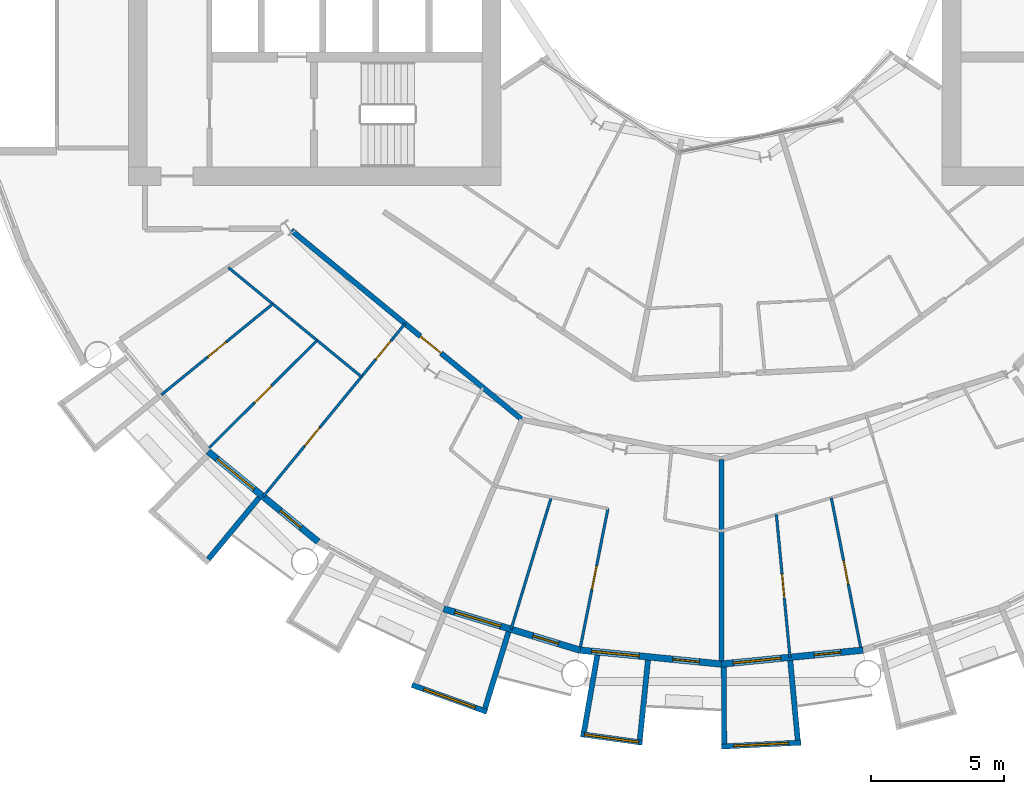
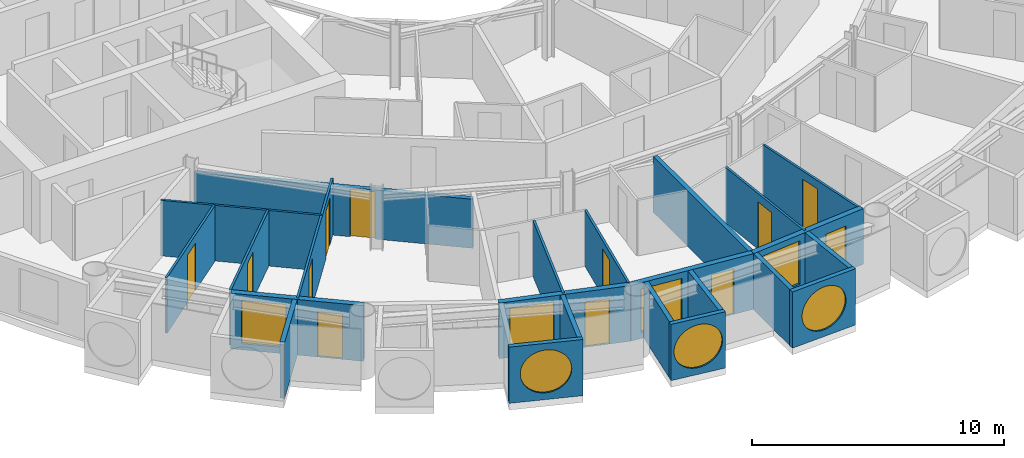
# One storey, part 13 of 26: 23 walls, 12 doors, 7 windows, 19 openings.
"""IFC4 building model written with IfcOpenShell, lengths in metres."""

from ifc_helpers import new_model, si_unit, direction, frame, frame_2d, origin, place, context, subcontext, project, spatial, rectangle, circle, extrude, material, layer, layer_set, type_object, element, fill, save


model = new_model("IFC4")

# Units and contexts
model_context = context("Model", 3, precision=1e-05, world=origin(), true_north=direction((0.0, 1.0)))
body_context = subcontext(model_context, "Body", "Model", "MODEL_VIEW")
ifc_project = project(units=[si_unit("LENGTHUNIT", "METRE"), si_unit("AREAUNIT", "SQUARE_METRE"), si_unit("VOLUMEUNIT", "CUBIC_METRE"), si_unit("PLANEANGLEUNIT", "RADIAN"), si_unit("MASSUNIT", "GRAM", prefix="KILO")], contexts=[model_context])

# Site, building, storey
site_placement = place(None, origin())
site = spatial("IfcSite", under=ifc_project, at=site_placement, CompositionType="ELEMENT")
building_placement = place(site_placement, origin())
building = spatial("IfcBuilding", under=site, at=building_placement, Name="Maasbend Ring Residences", CompositionType="ELEMENT")
storey_placement = place(building_placement, frame((0.0, 0.0, 91.050048828125)))
storey = spatial("IfcBuildingStorey", under=building, at=storey_placement, Name="L26", CompositionType="ELEMENT", Elevation=91.050048828125)

# Wall, opening, door
ifc_material_1 = material(Name="Concrete C30/37", Category="concrete")
ifc_layer_1 = layer(ifc_material_1, 0.199951171875)
ifc_layer_set_1 = layer_set([ifc_layer_1], Name="Concrete C30/37")
wall_type_1 = type_object("IfcWallType", Name="CORRIDOR WALL 200 CONCRETE", PredefinedType="PARTITIONING", material=ifc_layer_set_1)
wall_1_placement = place(storey_placement, frame((-16.173095703125, -10.990966796875, 0.0), z_axis=(0.0, 0.0, 1.0), x_axis=(0.773013989296, -0.634388975591, 0.0)))
wall_1 = element("IfcWall", 1, at=wall_1_placement, inside=storey, type_object=wall_type_1, Name="U-L26-w013", PredefinedType="PARTITIONING", context=body_context, shape_type="SweptSolid", body=[
    extrude(rectangle(XDim=11.218505859375, YDim=0.199951171875, at=frame_2d((5.609375, 0.0))), origin(), (0.0, 0.0, 1.0), 2.3798828125),
])
opening_1_placement = place(wall_1_placement, frame((6.278076171875, 0.0, 0.0)))
opening_1 = element("IfcOpeningElement", 2, at=opening_1_placement, cuts=wall_1, Name="Opening D-2632", PredefinedType="OPENING", context=body_context, shape_type="SweptSolid", body=[
    extrude(rectangle(XDim=1.0, YDim=2.300048828125, at=frame_2d((0.5, 1.14990234375))), frame((0.0, 0.10986328125, 0.0), z_axis=(0.0, -1.0, 0.0), x_axis=(1.0, 0.0, 0.0)), (0.0, 0.0, 1.0), 0.219970703125),
])
ifc_material_2 = material(Name="Timber, fire-rated, painted", Category="wood")
door_type_1 = type_object("IfcDoorType", Name="FLAT ENTRANCE DOOR 1000 X 2300 FIRE-RATED", OperationType="NOTDEFINED", PredefinedType="DOOR", material=ifc_material_2)
door_1_placement = place(opening_1_placement, origin())
door_1 = element("IfcDoor", 3, at=door_1_placement, inside=storey, type_object=door_type_1, Name="D-2632", OperationType="SINGLE_SWING_RIGHT", OverallHeight=2.300048828125, OverallWidth=1.0, PredefinedType="DOOR", context=body_context, shape_type="SweptSolid", body=[
    extrude(rectangle(XDim=1.0, YDim=2.300048828125, at=frame_2d((0.5, 1.14990234375))), frame((0.0, 0.02490234375, 0.0), z_axis=(0.0, -1.0, 0.0), x_axis=(1.0, 0.0, 0.0)), (0.0, 0.0, 1.0), 0.050048828125),
])
fill(opening_1, door_1)

# Wall
ifc_material_3 = material(Name="Pale anodised aluminium panel", Category="aluminium")
ifc_layer_2 = layer(ifc_material_3, 0.199951171875)
ifc_layer_set_2 = layer_set([ifc_layer_2], Name="EW-BOX")
wall_type_2 = type_object("IfcWallType", Name="EW-BOX", PredefinedType="SOLIDWALL", material=ifc_layer_set_2)
wall_2_placement = place(storey_placement, frame((-17.384033203125, -21.041015625, -0.030029296875), z_axis=(0.0, 0.0, 1.0), x_axis=(-0.63709551667, -0.770784861449, 0.0)))
element("IfcWall", 4, at=wall_2_placement, inside=storey, type_object=wall_type_2, Name="Box side wall S03 right", PredefinedType="SOLIDWALL", context=body_context, shape_type="SweptSolid", body=[
    extrude(rectangle(XDim=3.005859375, YDim=0.199951171875, at=frame_2d((1.5029296875, 0.0))), origin(), (0.0, 0.0, 1.0), 2.72998046875),
])

# Wall, opening, window
wall_3_placement = place(storey_placement, frame((-11.637939453125, -28.083984375, -0.030029296875), z_axis=(0.0, 0.0, 1.0), x_axis=(0.941461077774, -0.337121697664, 0.0)))
wall_3 = element("IfcWall", 5, at=wall_3_placement, inside=storey, type_object=wall_type_2, Name="Box front S07", PredefinedType="SOLIDWALL", context=body_context, shape_type="SweptSolid", body=[
    extrude(rectangle(XDim=2.9931640625, YDim=0.199951171875, at=frame_2d((1.49658203125, 0.0))), origin(), (0.0, 0.0, 1.0), 2.72998046875),
])
opening_2_placement = place(wall_3_placement, frame((0.45654296875, 0.0, 0.330078125)))
opening_2 = element("IfcOpeningElement", 6, at=opening_2_placement, cuts=wall_3, Name="Opening W-RD", PredefinedType="OPENING", context=body_context, shape_type="SweptSolid", body=[
    extrude(circle(Radius=1.0400390625, at=frame_2d((1.0400390625, 1.0400390625))), frame((0.0, 0.10986328125, 0.0), z_axis=(0.0, -1.0, 0.0), x_axis=(1.0, 0.0, 0.0)), (0.0, 0.0, 1.0), 0.219970703125),
])
ifc_material_4 = material(Name="Aluminium and clear glass", Category="aluminium")
window_type_1 = type_object("IfcWindowType", Name="W-RD", PartitioningType="SINGLE_PANEL", PredefinedType="WINDOW", material=ifc_material_4)
window_1_placement = place(opening_2_placement, origin())
window_1 = element("IfcWindow", 7, at=window_1_placement, inside=storey, type_object=window_type_1, Name="Round window S07", OverallHeight=2.080078125, OverallWidth=2.080078125, PartitioningType="SINGLE_PANEL", PredefinedType="WINDOW", context=body_context, shape_type="SweptSolid", body=[
    extrude(circle(Radius=1.0400390625, at=frame_2d((1.0400390625, 1.0400390625))), frame((0.0, 0.030029296875, 0.0), z_axis=(0.0, -1.0, 0.0), x_axis=(1.0, 0.0, 0.0)), (0.0, 0.0, 1.0), 0.06005859375),
])
fill(opening_2, window_1)

# Wall
wall_4_placement = place(storey_placement, frame((-8.009033203125, -26.092041015625, -0.030029296875), z_axis=(0.0, 0.0, 1.0), x_axis=(-0.293406695073, -0.955987715029, 0.0)))
element("IfcWall", 8, at=wall_4_placement, inside=storey, type_object=wall_type_2, Name="Box side wall S07 right", PredefinedType="SOLIDWALL", context=body_context, shape_type="SweptSolid", body=[
    extrude(rectangle(XDim=3.00634765625, YDim=0.199951171875, at=frame_2d((1.503173828125, 0.0))), origin(), (0.0, 0.0, 1.0), 2.72998046875),
])

# Wall, opening, window
wall_5_placement = place(storey_placement, frame((-5.2900390625, -29.93603515625, -0.030029296875), z_axis=(0.0, 0.0, 1.0), x_axis=(0.990696111261, -0.136092671119, 0.0)))
wall_5 = element("IfcWall", 9, at=wall_5_placement, inside=storey, type_object=wall_type_2, Name="Box front S09", PredefinedType="SOLIDWALL", context=body_context, shape_type="SweptSolid", body=[
    extrude(rectangle(XDim=2.335693359375, YDim=0.199951171875, at=frame_2d((1.16796875, 0.0))), origin(), (0.0, 0.0, 1.0), 2.72998046875),
])
opening_3_placement = place(wall_5_placement, frame((0.128173828125, 0.0, 0.330078125)))
opening_3 = element("IfcOpeningElement", 10, at=opening_3_placement, cuts=wall_5, Name="Opening W-RD", PredefinedType="OPENING", context=body_context, shape_type="SweptSolid", body=[
    extrude(circle(Radius=1.0400390625, at=frame_2d((1.0400390625, 1.0400390625))), frame((0.0, 0.10986328125, 0.0), z_axis=(0.0, -1.0, 0.0), x_axis=(1.0, 0.0, 0.0)), (0.0, 0.0, 1.0), 0.219970703125),
])
window_2_placement = place(opening_3_placement, origin())
window_2 = element("IfcWindow", 11, at=window_2_placement, inside=storey, type_object=window_type_1, Name="Round window S09", OverallHeight=2.080078125, OverallWidth=2.080078125, PartitioningType="SINGLE_PANEL", PredefinedType="WINDOW", context=body_context, shape_type="SweptSolid", body=[
    extrude(circle(Radius=1.0400390625, at=frame_2d((1.0400390625, 1.0400390625))), frame((0.0, 0.030029296875, 0.0), z_axis=(0.0, -1.0, 0.0), x_axis=(1.0, 0.0, 0.0)), (0.0, 0.0, 1.0), 0.06005859375),
])
fill(opening_3, window_2)

# Walls
wall_6_placement = place(storey_placement, frame((-4.6708984375, -26.966064453125, -0.030029296875), z_axis=(0.0, 0.0, 1.0), x_axis=(-0.170539878907, -0.985350774954, 0.0)))
element("IfcWall", 12, at=wall_6_placement, inside=storey, type_object=wall_type_2, Name="Box side wall S09 left", PredefinedType="SOLIDWALL", context=body_context, shape_type="SweptSolid", body=[
    extrude(rectangle(XDim=2.931884765625, YDim=0.199951171875, at=frame_2d((1.4658203125, 0.0))), origin(), (0.0, 0.0, 1.0), 2.72998046875),
])
wall_7_placement = place(storey_placement, frame((-2.763916015625, -27.153076171875, -0.030029296875), z_axis=(0.0, 0.0, 1.0), x_axis=(-0.101505487237, -0.994834979311, 0.0)))
element("IfcWall", 13, at=wall_7_placement, inside=storey, type_object=wall_type_2, Name="Box side wall S09 right", PredefinedType="SOLIDWALL", context=body_context, shape_type="SweptSolid", body=[
    extrude(rectangle(XDim=3.006591796875, YDim=0.199951171875, at=frame_2d((1.50341796875, 0.0))), origin(), (0.0, 0.0, 1.0), 2.72998046875),
])

# Wall, opening, window
wall_8_placement = place(storey_placement, frame((-0.0048828125, -30.39990234375, -0.030029296875), z_axis=(0.0, 0.0, 1.0), x_axis=(0.998794083011, 0.049095618353, 0.0)))
wall_8 = element("IfcWall", 14, at=wall_8_placement, inside=storey, type_object=wall_type_2, Name="Box front S11", PredefinedType="SOLIDWALL", context=body_context, shape_type="SweptSolid", body=[
    extrude(rectangle(XDim=2.99365234375, YDim=0.199951171875, at=frame_2d((1.496826171875, 0.0))), origin(), (0.0, 0.0, 1.0), 2.72998046875),
])
opening_4_placement = place(wall_8_placement, frame((0.45654296875, 0.0, 0.330078125)))
opening_4 = element("IfcOpeningElement", 15, at=opening_4_placement, cuts=wall_8, Name="Opening W-RD", PredefinedType="OPENING", context=body_context, shape_type="SweptSolid", body=[
    extrude(circle(Radius=1.0400390625, at=frame_2d((1.0400390625, 1.0400390625))), frame((0.0, 0.10986328125, 0.0), z_axis=(0.0, -1.0, 0.0), x_axis=(1.0, 0.0, 0.0)), (0.0, 0.0, 1.0), 0.219970703125),
])
window_3_placement = place(opening_4_placement, origin())
window_3 = element("IfcWindow", 16, at=window_3_placement, inside=storey, type_object=window_type_1, Name="Round window S11", OverallHeight=2.080078125, OverallWidth=2.080078125, PartitioningType="SINGLE_PANEL", PredefinedType="WINDOW", context=body_context, shape_type="SweptSolid", body=[
    extrude(circle(Radius=1.0400390625, at=frame_2d((1.0400390625, 1.0400390625))), frame((0.0, 0.030029296875, 0.0), z_axis=(0.0, -1.0, 0.0), x_axis=(1.0, 0.0, 0.0)), (0.0, 0.0, 1.0), 0.06005859375),
])
fill(opening_4, window_3)

# Walls
wall_9_placement = place(storey_placement, frame((0.090087890625, -27.4169921875, -0.030029296875), z_axis=(0.0, 0.0, 1.0), x_axis=(0.00347308367, -0.999993968827, 0.0)))
element("IfcWall", 17, at=wall_9_placement, inside=storey, type_object=wall_type_2, Name="Box side wall S11 left", PredefinedType="SOLIDWALL", context=body_context, shape_type="SweptSolid", body=[
    extrude(rectangle(XDim=2.882080078125, YDim=0.199951171875, at=frame_2d((1.44091796875, 0.0))), origin(), (0.0, 0.0, 1.0), 2.72998046875),
])
wall_10_placement = place(storey_placement, frame((2.5859375, -27.1708984375, -0.030029296875), z_axis=(0.0, 0.0, 1.0), x_axis=(0.094548432284, -0.995520262954, 0.0)))
element("IfcWall", 18, at=wall_10_placement, inside=storey, type_object=wall_type_2, Name="Box side wall S11 right", PredefinedType="SOLIDWALL", context=body_context, shape_type="SweptSolid", body=[
    extrude(rectangle(XDim=3.005615234375, YDim=0.199951171875, at=frame_2d((1.5029296875, 0.0))), origin(), (0.0, 0.0, 1.0), 2.72998046875),
])

# Wall, openings, door, window
ifc_material_5 = material(Name="Aluminium clad insulated panel", Category="aluminium")
ifc_layer_3 = layer(ifc_material_5, 0.25)
ifc_layer_set_3 = layer_set([ifc_layer_3], Name="EW-GL")
wall_type_3 = type_object("IfcWallType", Name="EW-GL", PredefinedType="SOLIDWALL", material=ifc_layer_set_3)
wall_11_placement = place(storey_placement, frame((-19.303955078125, -19.303955078125, 0.0), z_axis=(0.0, 0.0, 1.0), x_axis=(0.773019449054, -0.634382322723, 0.0)))
wall_11 = element("IfcWall", 19, at=wall_11_placement, inside=storey, type_object=wall_type_3, Name="External wall S02", PredefinedType="SOLIDWALL", context=body_context, shape_type="SweptSolid", body=[
    extrude(rectangle(XDim=5.351806640625, YDim=0.25, at=frame_2d((2.67578125, 0.0))), origin(), (0.0, 0.0, 1.0), 2.699951171875),
])
opening_5_placement = place(wall_11_placement, frame((0.441162109375, 0.0, 0.300048828125)))
opening_5 = element("IfcOpeningElement", 20, at=opening_5_placement, cuts=wall_11, Name="Opening W-BX", PredefinedType="OPENING", context=body_context, shape_type="SweptSolid", body=[
    extrude(rectangle(XDim=1.800048828125, YDim=2.10009765625, at=frame_2d((0.89990234375, 1.050048828125))), frame((0.0, 0.135009765625, 0.0), z_axis=(0.0, -1.0, 0.0), x_axis=(1.0, 0.0, 0.0)), (0.0, 0.0, 1.0), 0.27001953125),
])
opening_6_placement = place(wall_11_placement, frame((3.510498046875, 0.0, 0.0)))
opening_6 = element("IfcOpeningElement", 21, at=opening_6_placement, cuts=wall_11, Name="Opening D-LG", PredefinedType="OPENING", context=body_context, shape_type="SweptSolid", body=[
    extrude(rectangle(XDim=1.0, YDim=2.199951171875, at=frame_2d((0.5, 1.10009765625))), frame((0.0, 0.135009765625, 0.0), z_axis=(0.0, -1.0, 0.0), x_axis=(1.0, 0.0, 0.0)), (0.0, 0.0, 1.0), 0.27001953125),
])
ifc_material_6 = material(Name="Aluminium and clear glass", Category="aluminium")
door_type_2 = type_object("IfcDoorType", Name="D-LG", OperationType="SINGLE_SWING_LEFT", PredefinedType="DOOR", material=ifc_material_6)
door_2_placement = place(opening_6_placement, origin())
door_2 = element("IfcDoor", 22, at=door_2_placement, inside=storey, type_object=door_type_2, Name="Loggia door S04", OperationType="SINGLE_SWING_LEFT", OverallHeight=2.199951171875, OverallWidth=1.0, PredefinedType="DOOR", context=body_context, shape_type="SweptSolid", body=[
    extrude(rectangle(XDim=1.0, YDim=2.199951171875, at=frame_2d((0.5, 1.10009765625))), frame((0.0, 0.02490234375, 0.0), z_axis=(0.0, -1.0, 0.0), x_axis=(1.0, 0.0, 0.0)), (0.0, 0.0, 1.0), 0.050048828125),
])
fill(opening_6, door_2)
ifc_material_7 = material(Name="Aluminium and clear glass", Category="aluminium")
window_type_2 = type_object("IfcWindowType", Name="W-BX", PartitioningType="DOUBLE_PANEL_VERTICAL", PredefinedType="WINDOW", material=ifc_material_7)
window_4_placement = place(opening_5_placement, origin())
window_4 = element("IfcWindow", 23, at=window_4_placement, inside=storey, type_object=window_type_2, Name="Window S03 room to box", OverallHeight=2.10009765625, OverallWidth=1.800048828125, PartitioningType="SINGLE_PANEL", PredefinedType="WINDOW", context=body_context, shape_type="SweptSolid", body=[
    extrude(rectangle(XDim=1.800048828125, YDim=2.10009765625, at=frame_2d((0.89990234375, 1.050048828125))), frame((0.0, 0.030029296875, 0.0), z_axis=(0.0, -1.0, 0.0), x_axis=(1.0, 0.0, 0.0)), (0.0, 0.0, 1.0), 0.06005859375),
])
fill(opening_5, window_4)

wall_12_placement = place(storey_placement, frame((-10.447021484375, -25.221923828125, 0.0), z_axis=(0.0, 0.0, 1.0), x_axis=(0.956965678721, -0.290201119486, 0.0)))
wall_12 = element("IfcWall", 24, at=wall_12_placement, inside=storey, type_object=wall_type_3, Name="External wall S04", PredefinedType="SOLIDWALL", context=body_context, shape_type="SweptSolid", body=[
    extrude(rectangle(XDim=5.351318359375, YDim=0.25, at=frame_2d((2.67578125, 0.0))), origin(), (0.0, 0.0, 1.0), 2.699951171875),
])
opening_7_placement = place(wall_12_placement, frame((0.441162109375, 0.0, 0.300048828125)))
opening_7 = element("IfcOpeningElement", 25, at=opening_7_placement, cuts=wall_12, Name="Opening W-BX", PredefinedType="OPENING", context=body_context, shape_type="SweptSolid", body=[
    extrude(rectangle(XDim=1.800048828125, YDim=2.10009765625, at=frame_2d((0.89990234375, 1.050048828125))), frame((0.0, 0.135009765625, 0.0), z_axis=(0.0, -1.0, 0.0), x_axis=(1.0, 0.0, 0.0)), (0.0, 0.0, 1.0), 0.27001953125),
])
opening_8_placement = place(wall_12_placement, frame((3.510498046875, 0.0, 0.0)))
opening_8 = element("IfcOpeningElement", 26, at=opening_8_placement, cuts=wall_12, Name="Opening D-LG", PredefinedType="OPENING", context=body_context, shape_type="SweptSolid", body=[
    extrude(rectangle(XDim=1.0, YDim=2.199951171875, at=frame_2d((0.5, 1.10009765625))), frame((0.0, 0.135009765625, 0.0), z_axis=(0.0, -1.0, 0.0), x_axis=(1.0, 0.0, 0.0)), (0.0, 0.0, 1.0), 0.27001953125),
])
door_3_placement = place(opening_8_placement, origin())
door_3 = element("IfcDoor", 27, at=door_3_placement, inside=storey, type_object=door_type_2, Name="Loggia door S08", OperationType="SINGLE_SWING_LEFT", OverallHeight=2.199951171875, OverallWidth=1.0, PredefinedType="DOOR", context=body_context, shape_type="SweptSolid", body=[
    extrude(rectangle(XDim=1.0, YDim=2.199951171875, at=frame_2d((0.5, 1.10009765625))), frame((0.0, 0.02490234375, 0.0), z_axis=(0.0, -1.0, 0.0), x_axis=(1.0, 0.0, 0.0)), (0.0, 0.0, 1.0), 0.050048828125),
])
fill(opening_8, door_3)
window_5_placement = place(opening_7_placement, origin())
window_5 = element("IfcWindow", 28, at=window_5_placement, inside=storey, type_object=window_type_2, Name="Window S07 room to box", OverallHeight=2.10009765625, OverallWidth=1.800048828125, PartitioningType="SINGLE_PANEL", PredefinedType="WINDOW", context=body_context, shape_type="SweptSolid", body=[
    extrude(rectangle(XDim=1.800048828125, YDim=2.10009765625, at=frame_2d((0.89990234375, 1.050048828125))), frame((0.0, 0.030029296875, 0.0), z_axis=(0.0, -1.0, 0.0), x_axis=(1.0, 0.0, 0.0)), (0.0, 0.0, 1.0), 0.06005859375),
])
fill(opening_7, window_5)

wall_13_placement = place(storey_placement, frame((-5.325927734375, -26.77490234375, 0.0), z_axis=(0.0, 0.0, 1.0), x_axis=(0.995173996315, -0.098126026407, 0.0)))
wall_13 = element("IfcWall", 29, at=wall_13_placement, inside=storey, type_object=wall_type_3, Name="External wall S05", PredefinedType="SOLIDWALL", context=body_context, shape_type="SweptSolid", body=[
    extrude(rectangle(XDim=5.351806640625, YDim=0.25, at=frame_2d((2.67578125, 0.0))), origin(), (0.0, 0.0, 1.0), 2.699951171875),
])
opening_9_placement = place(wall_13_placement, frame((0.441162109375, 0.0, 0.300048828125)))
opening_9 = element("IfcOpeningElement", 30, at=opening_9_placement, cuts=wall_13, Name="Opening W-BX", PredefinedType="OPENING", context=body_context, shape_type="SweptSolid", body=[
    extrude(rectangle(XDim=1.800048828125, YDim=2.10009765625, at=frame_2d((0.89990234375, 1.050048828125))), frame((0.0, 0.135009765625, 0.0), z_axis=(0.0, -1.0, 0.0), x_axis=(1.0, 0.0, 0.0)), (0.0, 0.0, 1.0), 0.27001953125),
])
opening_10_placement = place(wall_13_placement, frame((3.510498046875, 0.0, 0.0)))
opening_10 = element("IfcOpeningElement", 31, at=opening_10_placement, cuts=wall_13, Name="Opening D-LG", PredefinedType="OPENING", context=body_context, shape_type="SweptSolid", body=[
    extrude(rectangle(XDim=1.0, YDim=2.199951171875, at=frame_2d((0.5, 1.10009765625))), frame((0.0, 0.135009765625, 0.0), z_axis=(0.0, -1.0, 0.0), x_axis=(1.0, 0.0, 0.0)), (0.0, 0.0, 1.0), 0.27001953125),
])
door_4_placement = place(opening_10_placement, origin())
door_4 = element("IfcDoor", 32, at=door_4_placement, inside=storey, type_object=door_type_2, Name="Loggia door S10", OperationType="SINGLE_SWING_LEFT", OverallHeight=2.199951171875, OverallWidth=1.0, PredefinedType="DOOR", context=body_context, shape_type="SweptSolid", body=[
    extrude(rectangle(XDim=1.0, YDim=2.199951171875, at=frame_2d((0.5, 1.10009765625))), frame((0.0, 0.02490234375, 0.0), z_axis=(0.0, -1.0, 0.0), x_axis=(1.0, 0.0, 0.0)), (0.0, 0.0, 1.0), 0.050048828125),
])
fill(opening_10, door_4)
window_6_placement = place(opening_9_placement, origin())
window_6 = element("IfcWindow", 33, at=window_6_placement, inside=storey, type_object=window_type_2, Name="Window S09 room to box", OverallHeight=2.10009765625, OverallWidth=1.800048828125, PartitioningType="SINGLE_PANEL", PredefinedType="WINDOW", context=body_context, shape_type="SweptSolid", body=[
    extrude(rectangle(XDim=1.800048828125, YDim=2.10009765625, at=frame_2d((0.89990234375, 1.050048828125))), frame((0.0, 0.030029296875, 0.0), z_axis=(0.0, -1.0, 0.0), x_axis=(1.0, 0.0, 0.0)), (0.0, 0.0, 1.0), 0.06005859375),
])
fill(opening_9, window_6)

wall_14_placement = place(storey_placement, frame((0.0, -27.300048828125, 0.0), z_axis=(0.0, 0.0, 1.0), x_axis=(0.995173996315, 0.098126026407, 0.0)))
wall_14 = element("IfcWall", 34, at=wall_14_placement, inside=storey, type_object=wall_type_3, Name="External wall S06", PredefinedType="SOLIDWALL", context=body_context, shape_type="SweptSolid", body=[
    extrude(rectangle(XDim=5.351806640625, YDim=0.25, at=frame_2d((2.67578125, 0.0))), origin(), (0.0, 0.0, 1.0), 2.699951171875),
])
opening_11_placement = place(wall_14_placement, frame((0.441162109375, 0.0, 0.300048828125)))
opening_11 = element("IfcOpeningElement", 35, at=opening_11_placement, cuts=wall_14, Name="Opening W-BX", PredefinedType="OPENING", context=body_context, shape_type="SweptSolid", body=[
    extrude(rectangle(XDim=1.800048828125, YDim=2.10009765625, at=frame_2d((0.89990234375, 1.050048828125))), frame((0.0, 0.135009765625, 0.0), z_axis=(0.0, -1.0, 0.0), x_axis=(1.0, 0.0, 0.0)), (0.0, 0.0, 1.0), 0.27001953125),
])
opening_12_placement = place(wall_14_placement, frame((3.510498046875, 0.0, 0.0)))
opening_12 = element("IfcOpeningElement", 36, at=opening_12_placement, cuts=wall_14, Name="Opening D-LG", PredefinedType="OPENING", context=body_context, shape_type="SweptSolid", body=[
    extrude(rectangle(XDim=1.0, YDim=2.199951171875, at=frame_2d((0.5, 1.10009765625))), frame((0.0, 0.135009765625, 0.0), z_axis=(0.0, -1.0, 0.0), x_axis=(1.0, 0.0, 0.0)), (0.0, 0.0, 1.0), 0.27001953125),
])
door_5_placement = place(opening_12_placement, origin())
door_5 = element("IfcDoor", 37, at=door_5_placement, inside=storey, type_object=door_type_2, Name="Loggia door S12", OperationType="SINGLE_SWING_LEFT", OverallHeight=2.199951171875, OverallWidth=1.0, PredefinedType="DOOR", context=body_context, shape_type="SweptSolid", body=[
    extrude(rectangle(XDim=1.0, YDim=2.199951171875, at=frame_2d((0.5, 1.10009765625))), frame((0.0, 0.02490234375, 0.0), z_axis=(0.0, -1.0, 0.0), x_axis=(1.0, 0.0, 0.0)), (0.0, 0.0, 1.0), 0.050048828125),
])
fill(opening_12, door_5)
window_7_placement = place(opening_11_placement, origin())
window_7 = element("IfcWindow", 38, at=window_7_placement, inside=storey, type_object=window_type_2, Name="Window S11 room to box", OverallHeight=2.10009765625, OverallWidth=1.800048828125, PartitioningType="SINGLE_PANEL", PredefinedType="WINDOW", context=body_context, shape_type="SweptSolid", body=[
    extrude(rectangle(XDim=1.800048828125, YDim=2.10009765625, at=frame_2d((0.89990234375, 1.050048828125))), frame((0.0, 0.030029296875, 0.0), z_axis=(0.0, -1.0, 0.0), x_axis=(1.0, 0.0, 0.0)), (0.0, 0.0, 1.0), 0.06005859375),
])
fill(opening_11, window_7)

# Wall
ifc_material_8 = material(Name="Gypsum board on steel studs", Category="steel")
ifc_layer_4 = layer(ifc_material_8, 0.10009765625)
ifc_layer_set_4 = layer_set([ifc_layer_4], Name="PARTITION 100 GYPSUM")
wall_type_4 = type_object("IfcWallType", Name="PARTITION 100 GYPSUM", PredefinedType="PARTITIONING", material=ifc_layer_set_4)
wall_15_placement = place(storey_placement, frame((-18.5419921875, -12.388916015625, 0.0), z_axis=(0.0, 0.0, 1.0), x_axis=(0.77296666644, -0.634446634929, 0.0)))
element("IfcWall", 39, at=wall_15_placement, inside=storey, type_object=wall_type_4, Name="U-L26-w007", PredefinedType="PARTITIONING", context=body_context, shape_type="SweptSolid", body=[
    extrude(rectangle(XDim=6.4736328125, YDim=0.10009765625, at=frame_2d((3.23681640625, 0.0))), origin(), (0.0, 0.0, 1.0), 2.699951171875),
])

# Wall, opening, door
wall_16_placement = place(storey_placement, frame((-21.06103515625, -17.173095703125, 0.0), z_axis=(0.0, 0.0, 1.0), x_axis=(0.774926754572, 0.632051046236, 0.0)))
wall_16 = element("IfcWall", 40, at=wall_16_placement, inside=storey, type_object=wall_type_4, Name="U-L26-w030", PredefinedType="PARTITIONING", context=body_context, shape_type="SweptSolid", body=[
    extrude(rectangle(XDim=5.403076171875, YDim=0.10009765625, at=frame_2d((2.70166015625, 0.0))), origin(), (0.0, 0.0, 1.0), 2.699951171875),
])
opening_13_placement = place(wall_16_placement, frame((2.251953125, 0.0, 0.0)))
opening_13 = element("IfcOpeningElement", 41, at=opening_13_placement, cuts=wall_16, Name="Opening D-2637", PredefinedType="OPENING", context=body_context, shape_type="SweptSolid", body=[
    extrude(rectangle(XDim=0.89990234375, YDim=2.300048828125, at=frame_2d((0.449951171875, 1.14990234375))), frame((0.0, 0.06005859375, 0.0), z_axis=(0.0, -1.0, 0.0), x_axis=(1.0, 0.0, 0.0)), (0.0, 0.0, 1.0), 0.1201171875),
])
ifc_material_9 = material(Name="Timber, painted", Category="wood")
door_type_3 = type_object("IfcDoorType", Name="INTERNAL DOOR 900 X 2300", OperationType="NOTDEFINED", PredefinedType="DOOR", material=ifc_material_9)
door_6_placement = place(opening_13_placement, origin())
door_6 = element("IfcDoor", 42, at=door_6_placement, inside=storey, type_object=door_type_3, Name="D-2637", OperationType="SINGLE_SWING_RIGHT", OverallHeight=2.300048828125, OverallWidth=0.89990234375, PredefinedType="DOOR", context=body_context, shape_type="SweptSolid", body=[
    extrude(rectangle(XDim=0.89990234375, YDim=2.300048828125, at=frame_2d((0.449951171875, 1.14990234375))), frame((0.0, 0.02490234375, 0.0), z_axis=(0.0, -1.0, 0.0), x_axis=(1.0, 0.0, 0.0)), (0.0, 0.0, 1.0), 0.050048828125),
])
fill(opening_13, door_6)

wall_17_placement = place(storey_placement, frame((-19.264892578125, -19.166015625, 0.0), z_axis=(0.0, 0.0, 1.0), x_axis=(0.708831450128, 0.705377895393, 0.0)))
wall_17 = element("IfcWall", 43, at=wall_17_placement, inside=storey, type_object=wall_type_4, Name="U-L26-w031", PredefinedType="PARTITIONING", context=body_context, shape_type="SweptSolid", body=[
    extrude(rectangle(XDim=5.72607421875, YDim=0.10009765625, at=frame_2d((2.863037109375, 0.0))), origin(), (0.0, 0.0, 1.0), 2.699951171875),
])
opening_14_placement = place(wall_17_placement, frame((2.4130859375, 0.0, 0.0)))
opening_14 = element("IfcOpeningElement", 44, at=opening_14_placement, cuts=wall_17, Name="Opening D-2636", PredefinedType="OPENING", context=body_context, shape_type="SweptSolid", body=[
    extrude(rectangle(XDim=0.89990234375, YDim=2.300048828125, at=frame_2d((0.449951171875, 1.14990234375))), frame((0.0, 0.06005859375, 0.0), z_axis=(0.0, -1.0, 0.0), x_axis=(1.0, 0.0, 0.0)), (0.0, 0.0, 1.0), 0.1201171875),
])
door_7_placement = place(opening_14_placement, origin())
door_7 = element("IfcDoor", 45, at=door_7_placement, inside=storey, type_object=door_type_3, Name="D-2636", OperationType="SINGLE_SWING_LEFT", OverallHeight=2.300048828125, OverallWidth=0.89990234375, PredefinedType="DOOR", context=body_context, shape_type="SweptSolid", body=[
    extrude(rectangle(XDim=0.89990234375, YDim=2.300048828125, at=frame_2d((0.449951171875, 1.14990234375))), frame((0.0, 0.02490234375, 0.0), z_axis=(0.0, -1.0, 0.0), x_axis=(1.0, 0.0, 0.0)), (0.0, 0.0, 1.0), 0.050048828125),
])
fill(opening_14, door_7)

# Wall, openings, doors
wall_18_placement = place(storey_placement, frame((-17.240966796875, -21.006103515625, 0.0), z_axis=(0.0, 0.0, 1.0), x_axis=(0.634522338131, 0.772904523478, 0.0)))
wall_18 = element("IfcWall", 46, at=wall_18_placement, inside=storey, type_object=wall_type_4, Name="U-L26-w032", PredefinedType="PARTITIONING", context=body_context, shape_type="SweptSolid", body=[
    extrude(rectangle(XDim=8.4189453125, YDim=0.10009765625, at=frame_2d((4.20947265625, 0.0))), origin(), (0.0, 0.0, 1.0), 2.699951171875),
])
opening_15_placement = place(wall_18_placement, frame((6.677001953125, 0.0, 0.0)))
opening_15 = element("IfcOpeningElement", 47, at=opening_15_placement, cuts=wall_18, Name="Opening D-2634", PredefinedType="OPENING", context=body_context, shape_type="SweptSolid", body=[
    extrude(rectangle(XDim=0.89990234375, YDim=2.300048828125, at=frame_2d((0.449951171875, 1.14990234375))), frame((0.0, 0.06005859375, 0.0), z_axis=(0.0, -1.0, 0.0), x_axis=(1.0, 0.0, 0.0)), (0.0, 0.0, 1.0), 0.1201171875),
])
opening_16_placement = place(wall_18_placement, frame((2.466064453125, 0.0, 0.0)))
opening_16 = element("IfcOpeningElement", 48, at=opening_16_placement, cuts=wall_18, Name="Opening D-2635", PredefinedType="OPENING", context=body_context, shape_type="SweptSolid", body=[
    extrude(rectangle(XDim=0.89990234375, YDim=2.300048828125, at=frame_2d((0.449951171875, 1.14990234375))), frame((0.0, 0.06005859375, 0.0), z_axis=(0.0, -1.0, 0.0), x_axis=(1.0, 0.0, 0.0)), (0.0, 0.0, 1.0), 0.1201171875),
])
door_8_placement = place(opening_15_placement, origin())
door_8 = element("IfcDoor", 49, at=door_8_placement, inside=storey, type_object=door_type_3, Name="D-2634", OperationType="SINGLE_SWING_RIGHT", OverallHeight=2.300048828125, OverallWidth=0.89990234375, PredefinedType="DOOR", context=body_context, shape_type="SweptSolid", body=[
    extrude(rectangle(XDim=0.89990234375, YDim=2.300048828125, at=frame_2d((0.449951171875, 1.14990234375))), frame((0.0, 0.02490234375, 0.0), z_axis=(0.0, -1.0, 0.0), x_axis=(1.0, 0.0, 0.0)), (0.0, 0.0, 1.0), 0.050048828125),
])
fill(opening_15, door_8)
door_9_placement = place(opening_16_placement, origin())
door_9 = element("IfcDoor", 50, at=door_9_placement, inside=storey, type_object=door_type_3, Name="D-2635", OperationType="SINGLE_SWING_LEFT", OverallHeight=2.300048828125, OverallWidth=0.89990234375, PredefinedType="DOOR", context=body_context, shape_type="SweptSolid", body=[
    extrude(rectangle(XDim=0.89990234375, YDim=2.300048828125, at=frame_2d((0.449951171875, 1.14990234375))), frame((0.0, 0.02490234375, 0.0), z_axis=(0.0, -1.0, 0.0), x_axis=(1.0, 0.0, 0.0)), (0.0, 0.0, 1.0), 0.050048828125),
])
fill(opening_16, door_9)

# Wall
wall_19_placement = place(storey_placement, frame((-7.9130859375, -25.9970703125, 0.0), z_axis=(0.0, 0.0, 1.0), x_axis=(0.291264462755, 0.956642573136, 0.0)))
element("IfcWall", 51, at=wall_19_placement, inside=storey, type_object=wall_type_4, Name="U-L26-w042", PredefinedType="PARTITIONING", context=body_context, shape_type="SweptSolid", body=[
    extrude(rectangle(XDim=5.1953125, YDim=0.10009765625, at=frame_2d((2.59765625, 0.0))), origin(), (0.0, 0.0, 1.0), 2.699951171875),
])

# Wall, opening, door
wall_20_placement = place(storey_placement, frame((-5.302001953125, -26.653076171875, 0.0), z_axis=(0.0, 0.0, 1.0), x_axis=(0.195115793364, 0.980780213493, 0.0)))
wall_20 = element("IfcWall", 52, at=wall_20_placement, inside=storey, type_object=wall_type_4, Name="U-L26-w048", PredefinedType="PARTITIONING", context=body_context, shape_type="SweptSolid", body=[
    extrude(rectangle(XDim=5.30419921875, YDim=0.10009765625, at=frame_2d((2.652099609375, 0.0))), origin(), (0.0, 0.0, 1.0), 2.699951171875),
])
opening_17_placement = place(wall_20_placement, frame((2.201904296875, 0.0, 0.0)))
opening_17 = element("IfcOpeningElement", 53, at=opening_17_placement, cuts=wall_20, Name="Opening D-2640", PredefinedType="OPENING", context=body_context, shape_type="SweptSolid", body=[
    extrude(rectangle(XDim=0.89990234375, YDim=2.300048828125, at=frame_2d((0.449951171875, 1.14990234375))), frame((0.0, 0.06005859375, 0.0), z_axis=(0.0, -1.0, 0.0), x_axis=(1.0, 0.0, 0.0)), (0.0, 0.0, 1.0), 0.1201171875),
])
door_10_placement = place(opening_17_placement, origin())
door_10 = element("IfcDoor", 54, at=door_10_placement, inside=storey, type_object=door_type_3, Name="D-2640", OperationType="SINGLE_SWING_LEFT", OverallHeight=2.300048828125, OverallWidth=0.89990234375, PredefinedType="DOOR", context=body_context, shape_type="SweptSolid", body=[
    extrude(rectangle(XDim=0.89990234375, YDim=2.300048828125, at=frame_2d((0.449951171875, 1.14990234375))), frame((0.0, 0.02490234375, 0.0), z_axis=(0.0, -1.0, 0.0), x_axis=(1.0, 0.0, 0.0)), (0.0, 0.0, 1.0), 0.050048828125),
])
fill(opening_17, door_10)

wall_21_placement = place(storey_placement, frame((2.06494140625, -21.674072265625, 0.0), z_axis=(0.0, 0.0, 1.0), x_axis=(0.094751520537, -0.99550095397, 0.0)))
wall_21 = element("IfcWall", 55, at=wall_21_placement, inside=storey, type_object=wall_type_4, Name="U-L26-w061", PredefinedType="PARTITIONING", context=body_context, shape_type="SweptSolid", body=[
    extrude(rectangle(XDim=5.4033203125, YDim=0.10009765625, at=frame_2d((2.70166015625, 0.0))), origin(), (0.0, 0.0, 1.0), 2.699951171875),
])
opening_18_placement = place(wall_21_placement, frame((2.251953125, 0.0, 0.0)))
opening_18 = element("IfcOpeningElement", 56, at=opening_18_placement, cuts=wall_21, Name="Opening D-2647", PredefinedType="OPENING", context=body_context, shape_type="SweptSolid", body=[
    extrude(rectangle(XDim=0.89990234375, YDim=2.300048828125, at=frame_2d((0.449951171875, 1.14990234375))), frame((0.0, 0.06005859375, 0.0), z_axis=(0.0, -1.0, 0.0), x_axis=(1.0, 0.0, 0.0)), (0.0, 0.0, 1.0), 0.1201171875),
])
door_11_placement = place(opening_18_placement, origin())
door_11 = element("IfcDoor", 57, at=door_11_placement, inside=storey, type_object=door_type_3, Name="D-2647", OperationType="SINGLE_SWING_LEFT", OverallHeight=2.300048828125, OverallWidth=0.89990234375, PredefinedType="DOOR", context=body_context, shape_type="SweptSolid", body=[
    extrude(rectangle(XDim=0.89990234375, YDim=2.300048828125, at=frame_2d((0.449951171875, 1.14990234375))), frame((0.0, 0.02490234375, 0.0), z_axis=(0.0, -1.0, 0.0), x_axis=(1.0, 0.0, 0.0)), (0.0, 0.0, 1.0), 0.050048828125),
])
fill(opening_18, door_11)

wall_22_placement = place(storey_placement, frame((4.1298828125, -21.047119140625, 0.0), z_axis=(0.0, 0.0, 1.0), x_axis=(0.192433779325, -0.981309961518, 0.0)))
wall_22 = element("IfcWall", 58, at=wall_22_placement, inside=storey, type_object=wall_type_4, Name="U-L26-w065", PredefinedType="PARTITIONING", context=body_context, shape_type="SweptSolid", body=[
    extrude(rectangle(XDim=5.726806640625, YDim=0.10009765625, at=frame_2d((2.86328125, 0.0))), origin(), (0.0, 0.0, 1.0), 2.699951171875),
])
opening_19_placement = place(wall_22_placement, frame((2.4140625, 0.0, 0.0)))
opening_19 = element("IfcOpeningElement", 59, at=opening_19_placement, cuts=wall_22, Name="Opening D-2646", PredefinedType="OPENING", context=body_context, shape_type="SweptSolid", body=[
    extrude(rectangle(XDim=0.89990234375, YDim=2.300048828125, at=frame_2d((0.449951171875, 1.14990234375))), frame((0.0, 0.06005859375, 0.0), z_axis=(0.0, -1.0, 0.0), x_axis=(1.0, 0.0, 0.0)), (0.0, 0.0, 1.0), 0.1201171875),
])
door_12_placement = place(opening_19_placement, origin())
door_12 = element("IfcDoor", 60, at=door_12_placement, inside=storey, type_object=door_type_3, Name="D-2646", OperationType="SINGLE_SWING_RIGHT", OverallHeight=2.300048828125, OverallWidth=0.89990234375, PredefinedType="DOOR", context=body_context, shape_type="SweptSolid", body=[
    extrude(rectangle(XDim=0.89990234375, YDim=2.300048828125, at=frame_2d((0.449951171875, 1.14990234375))), frame((0.0, 0.02490234375, 0.0), z_axis=(0.0, -1.0, 0.0), x_axis=(1.0, 0.0, 0.0)), (0.0, 0.0, 1.0), 0.050048828125),
])
fill(opening_19, door_12)

# Wall
ifc_material_10 = material(Name="Concrete C30/37", Category="concrete")
ifc_layer_5 = layer(ifc_material_10, 0.199951171875)
ifc_layer_set_5 = layer_set([ifc_layer_5], Name="Concrete C30/37")
wall_type_5 = type_object("IfcWallType", Name="PARTY WALL 200 CONCRETE", PredefinedType="PARTITIONING", material=ifc_layer_set_5)
wall_23_placement = place(storey_placement, frame((0.0, -27.175048828125, 0.0), z_axis=(0.0, 0.0, 1.0), x_axis=(0.0, 1.0, 0.0)))
element("IfcWall", 61, at=wall_23_placement, inside=storey, type_object=wall_type_5, Name="U-L26-w057", PredefinedType="PARTITIONING", context=body_context, shape_type="SweptSolid", body=[
    extrude(rectangle(XDim=7.574951171875, YDim=0.199951171875, at=frame_2d((3.78759765625, 0.0))), origin(), (0.0, 0.0, 1.0), 2.699951171875),
])

save(model, "model.ifc")
